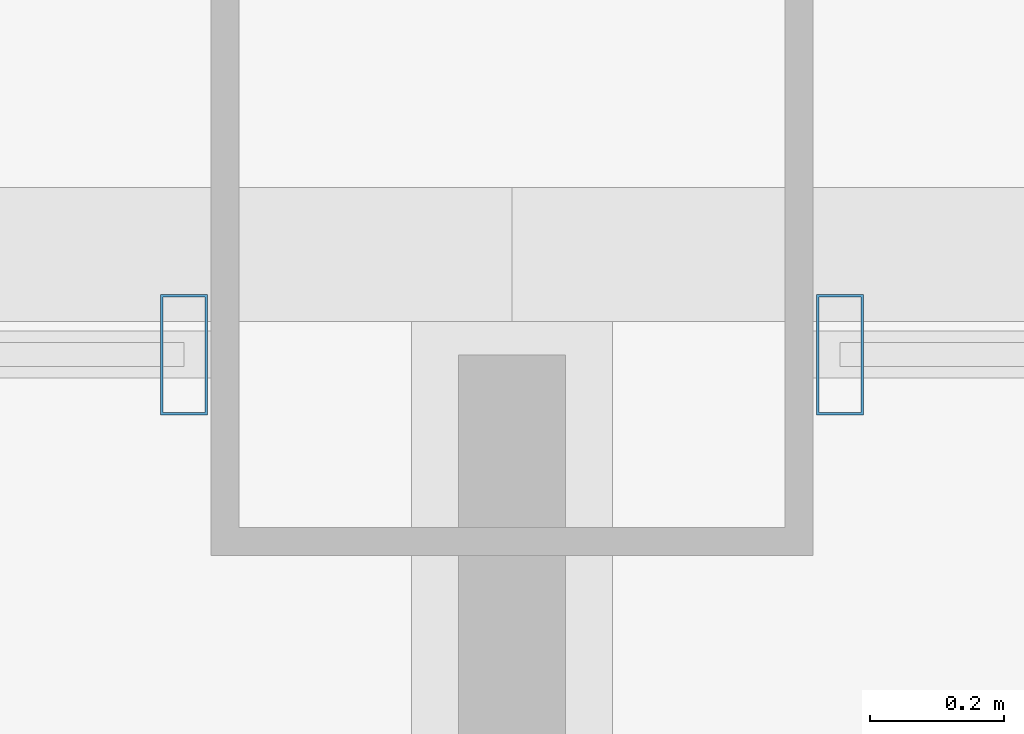
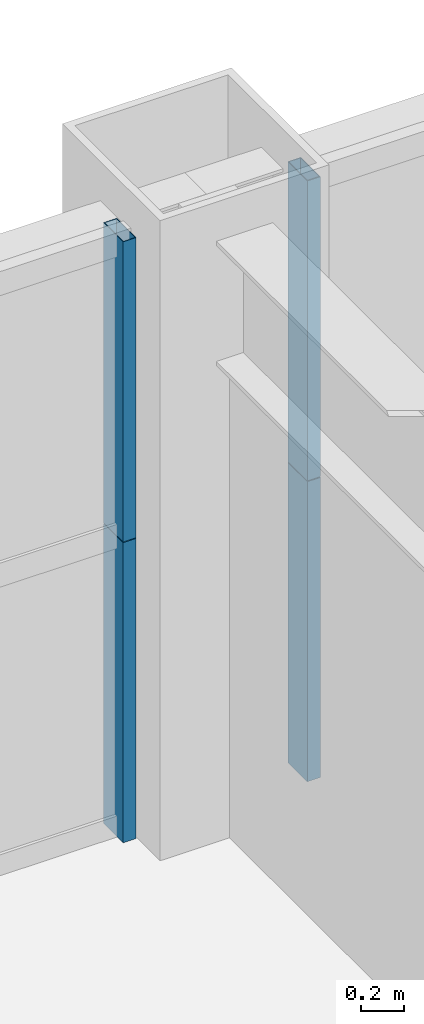
# One storey, part 26 of 37: 4 members, 2 elements without a shape of their own.
"""IFC4 building model written with IfcOpenShell, lengths in metres."""

from ifc_helpers import new_model, si_unit, direction, frame, origin, origin_2d, place, context, subcontext, project, spatial, hollow_rectangle, extrude, source, transform, mapped, material, layer, layer_set, material_profile, profile_set, type_object, element, aggregate, save


model = new_model("IFC4")

# Units and contexts
model_context = context("Model", 3, precision=1e-05, world=origin(), true_north=direction((0.0, 1.0)))
body_context = subcontext(model_context, "Body", "Model", "MODEL_VIEW")
ifc_project = project(units=[si_unit("LENGTHUNIT", "METRE"), si_unit("AREAUNIT", "SQUARE_METRE"), si_unit("VOLUMEUNIT", "CUBIC_METRE"), si_unit("PLANEANGLEUNIT", "RADIAN"), si_unit("MASSUNIT", "GRAM", prefix="KILO"), si_unit("THERMODYNAMICTEMPERATUREUNIT", "KELVIN"), si_unit("POWERUNIT", "WATT")], contexts=[model_context])

# Site, building, storey
site_placement = place(None, origin())
site = spatial("IfcSite", under=ifc_project, at=site_placement, CompositionType="ELEMENT")
building_placement = place(site_placement, origin())
building = spatial("IfcBuilding", under=site, at=building_placement, Name="Yuzanri Waterfront Tower", CompositionType="ELEMENT")
storey_placement = place(building_placement, frame((0.0, 0.0, 104.60009765625)))
storey = spatial("IfcBuildingStorey", under=building, at=storey_placement, Name="L27", CompositionType="ELEMENT", Elevation=104.60009765625)

# Curtain wall, members
ifc_material_1 = material(Name="Anodized Architectural Bronze", Category="metal")
ifc_layer = layer(ifc_material_1, 0.159912109375)
ifc_layer_set = layer_set([ifc_layer], Name="Anodized Architectural Bronze")
curtain_wall_type = type_object("IfcCurtainWallType", Name="Anodized Bronze Hotel Upper-Tier Solar-Control Unitized Curtain Wall 7800", PredefinedType="NOTDEFINED", material=ifc_layer_set)
curtain_wall_1_placement = place(storey_placement, origin())
curtain_wall_1 = element("IfcCurtainWall", 1, at=curtain_wall_1_placement, inside=storey, type_object=curtain_wall_type, Name="L27 Curtain Wall CW-L27-NL", PredefinedType="NOTDEFINED")
ifc_material_2 = material(Name="Anodized Architectural Bronze", Category="metal")
ifc_material_profile = material_profile(ifc_material_2, hollow_rectangle(XDim=0.070068359375, YDim=0.179931640625, WallThickness=0.00390625, at=origin_2d()), Name="CWM 70x180")
ifc_profile_set = profile_set([ifc_material_profile], Name="Anodized Architectural Bronze")
member_type = type_object("IfcMemberType", Name="Anodized Bronze Standard Curtain-Wall Mullion 70x180", PredefinedType="MULLION", material=ifc_profile_set)
shared_shape = source(origin(), body_context, "Body", "SweptSolid", [
    extrude(hollow_rectangle(XDim=0.070068359375, YDim=0.179931640625, WallThickness=0.00390625, at=origin_2d()), origin(), (0.0, 0.0, 1.0), 1.68798828125),
])
member_1_placement = place(storey_placement, frame((36.510009765625, 49.25, 0.0), z_axis=(0.0, 0.0, 1.0), x_axis=(1.0, 0.0, 0.0)))
member_1 = element("IfcMember", 2, at=member_1_placement, type_object=member_type, Name="CW-L27-NL Lower Mullion 02", PredefinedType="MULLION", context=body_context, shape_type="MappedRepresentation", body=[
    mapped(shared_shape, transform((0.0, 0.0, 0.0), scale=1.0)),
])
member_2_placement = place(storey_placement, frame((36.510009765625, 49.25, 1.69189453125), z_axis=(0.0, 0.0, 1.0), x_axis=(1.0, 0.0, 0.0)))
member_2 = element("IfcMember", 3, at=member_2_placement, type_object=member_type, Name="CW-L27-NL Upper Mullion 02", PredefinedType="MULLION", context=body_context, shape_type="MappedRepresentation", body=[
    mapped(shared_shape, transform((0.0, 0.0, 0.0), scale=1.0)),
])
aggregate(curtain_wall_1, [member_1, member_2])

curtain_wall_2_placement = place(storey_placement, origin())
curtain_wall_2 = element("IfcCurtainWall", 4, at=curtain_wall_2_placement, inside=storey, type_object=curtain_wall_type, Name="L27 Curtain Wall CW-L27-NR", PredefinedType="NOTDEFINED")
member_3_placement = place(storey_placement, frame((37.489990234375, 49.25, 0.0), z_axis=(0.0, 0.0, 1.0), x_axis=(1.0, 0.0, 0.0)))
member_3 = element("IfcMember", 5, at=member_3_placement, type_object=member_type, Name="CW-L27-NR Lower Mullion 00", PredefinedType="MULLION", context=body_context, shape_type="MappedRepresentation", body=[
    mapped(shared_shape, transform((0.0, 0.0, 0.0), scale=1.0)),
])
member_4_placement = place(storey_placement, frame((37.489990234375, 49.25, 1.69189453125), z_axis=(0.0, 0.0, 1.0), x_axis=(1.0, 0.0, 0.0)))
member_4 = element("IfcMember", 6, at=member_4_placement, type_object=member_type, Name="CW-L27-NR Upper Mullion 00", PredefinedType="MULLION", context=body_context, shape_type="MappedRepresentation", body=[
    mapped(shared_shape, transform((0.0, 0.0, 0.0), scale=1.0)),
])
aggregate(curtain_wall_2, [member_3, member_4])

save(model, "model.ifc")
